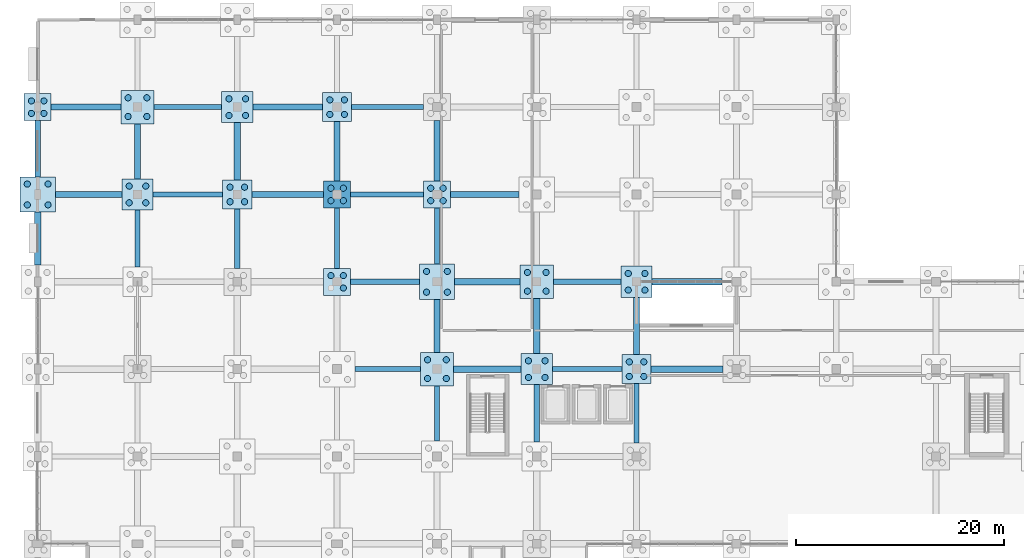
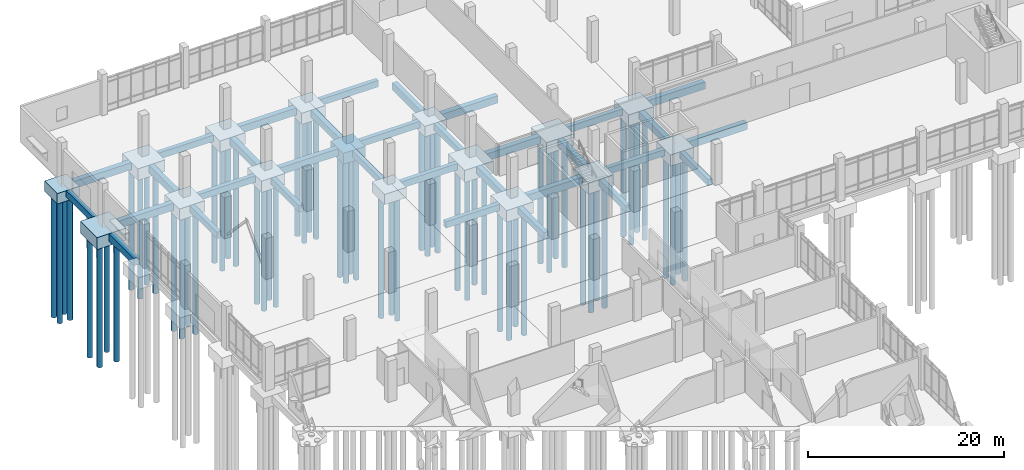
# One storey, part 8 of 136: 63 piles, 49 footings.
"""IFC4 building model written with IfcOpenShell, lengths in metres."""

from ifc_helpers import new_model, si_unit, direction, frame, origin, origin_2d, place, context, subcontext, project, spatial, rectangle, circle, extrude, material, material_profile, profile_set, type_object, element, save


model = new_model("IFC4")

# Units and contexts
model_context = context("Model", 3, precision=1e-05, world=origin(), true_north=direction((0.0, 1.0)))
body_context = subcontext(model_context, "Body", "Model", "MODEL_VIEW")
ifc_project = project(units=[si_unit("LENGTHUNIT", "METRE"), si_unit("AREAUNIT", "SQUARE_METRE"), si_unit("VOLUMEUNIT", "CUBIC_METRE"), si_unit("PLANEANGLEUNIT", "RADIAN"), si_unit("MASSUNIT", "GRAM", prefix="KILO")], contexts=[model_context])

# Site, building, storey
site_placement = place(None, origin())
site = spatial("IfcSite", under=ifc_project, at=site_placement, CompositionType="ELEMENT")
building_placement = place(site_placement, origin())
building = spatial("IfcBuilding", under=site, at=building_placement, Name="Oolite Switchyard Hospital", CompositionType="ELEMENT")
storey_placement = place(building_placement, origin())
storey = spatial("IfcBuildingStorey", under=building, at=storey_placement, Name="L00", CompositionType="ELEMENT", Elevation=0.0)

# Footings
ifc_material = material(Name="Concrete C40/50", Category="concrete")
footing_type_1 = type_object("IfcFootingType", Name="FTG-GB500X800", PredefinedType="FOOTING_BEAM", material=ifc_material)
footing_1_placement = place(storey_placement, frame((33.64990234375, 100.800048828125, -1.14990234375), z_axis=(0.0, 0.0, 1.0), x_axis=(1.0, 0.0, 0.0)))
element("IfcFooting", 1, at=footing_1_placement, inside=storey, type_object=footing_type_1, Name="L00 Grade Beam 178", PredefinedType="FOOTING_BEAM", context=body_context, shape_type="SweptSolid", body=[
    extrude(rectangle(XDim=6.300048828125, YDim=0.5, at=origin_2d()), origin(), (0.0, 0.0, 1.0), 0.800048828125),
])
footing_2_placement = place(storey_placement, frame((52.85009765625, 100.800048828125, -1.14990234375), z_axis=(0.0, 0.0, 1.0), x_axis=(1.0, 0.0, 0.0)))
element("IfcFooting", 2, at=footing_2_placement, inside=storey, type_object=footing_type_1, Name="L00 Grade Beam 180", PredefinedType="FOOTING_BEAM", context=body_context, shape_type="SweptSolid", body=[
    extrude(rectangle(XDim=6.699951171875, YDim=0.5, at=origin_2d()), origin(), (0.0, 0.0, 1.0), 0.800048828125),
])
footing_3_placement = place(storey_placement, frame((33.39990234375, 109.199951171875, -1.14990234375), z_axis=(0.0, 0.0, 1.0), x_axis=(1.0, 0.0, 0.0)))
element("IfcFooting", 3, at=footing_3_placement, inside=storey, type_object=footing_type_1, Name="L00 Grade Beam 200", PredefinedType="FOOTING_BEAM", context=body_context, shape_type="SweptSolid", body=[
    extrude(rectangle(XDim=6.60009765625, YDim=0.5, at=origin_2d()), origin(), (0.0, 0.0, 1.0), 0.800048828125),
])
footing_4_placement = place(storey_placement, frame((52.85009765625, 109.199951171875, -1.14990234375), z_axis=(0.0, 0.0, 1.0), x_axis=(1.0, 0.0, 0.0)))
element("IfcFooting", 4, at=footing_4_placement, inside=storey, type_object=footing_type_1, Name="L00 Grade Beam 202", PredefinedType="FOOTING_BEAM", context=body_context, shape_type="SweptSolid", body=[
    extrude(rectangle(XDim=6.5, YDim=0.5, at=origin_2d()), origin(), (0.0, 0.0, 1.0), 0.800048828125),
])
footing_5_placement = place(storey_placement, frame((14.449951171875, 117.60009765625, -1.14990234375), z_axis=(0.0, 0.0, 1.0), x_axis=(1.0, 0.0, 0.0)))
element("IfcFooting", 5, at=footing_5_placement, inside=storey, type_object=footing_type_1, Name="L00 Grade Beam 220", PredefinedType="FOOTING_BEAM", context=body_context, shape_type="SweptSolid", body=[
    extrude(rectangle(XDim=6.699951171875, YDim=0.5, at=origin_2d()), origin(), (0.0, 0.0, 1.0), 0.800048828125),
])
footing_6_placement = place(storey_placement, frame((33.60009765625, 117.60009765625, -1.14990234375), z_axis=(0.0, 0.0, 1.0), x_axis=(1.0, 0.0, 0.0)))
element("IfcFooting", 6, at=footing_6_placement, inside=storey, type_object=footing_type_1, Name="L00 Grade Beam 222", PredefinedType="FOOTING_BEAM", context=body_context, shape_type="SweptSolid", body=[
    extrude(rectangle(XDim=7.0, YDim=0.5, at=origin_2d()), origin(), (0.0, 0.0, 1.0), 0.800048828125),
])
footing_7_placement = place(storey_placement, frame((14.449951171875, 126.0, -1.14990234375), z_axis=(0.0, 0.0, 1.0), x_axis=(1.0, 0.0, 0.0)))
element("IfcFooting", 7, at=footing_7_placement, inside=storey, type_object=footing_type_1, Name="L00 Grade Beam 236", PredefinedType="FOOTING_BEAM", context=body_context, shape_type="SweptSolid", body=[
    extrude(rectangle(XDim=6.5, YDim=0.5, at=origin_2d()), origin(), (0.0, 0.0, 1.0), 0.800048828125),
])
footing_8_placement = place(storey_placement, frame((33.64990234375, 126.0, -1.14990234375), z_axis=(0.0, 0.0, 1.0), x_axis=(1.0, 0.0, 0.0)))
element("IfcFooting", 8, at=footing_8_placement, inside=storey, type_object=footing_type_1, Name="L00 Grade Beam 238", PredefinedType="FOOTING_BEAM", context=body_context, shape_type="SweptSolid", body=[
    extrude(rectangle(XDim=6.89990234375, YDim=0.5, at=origin_2d()), origin(), (0.0, 0.0, 1.0), 0.800048828125),
])
footing_9_placement = place(storey_placement, frame((0.0, 122.0, -1.14990234375), z_axis=(0.0, 0.0, 1.0), x_axis=(0.0, 1.0, 0.0)))
element("IfcFooting", 9, at=footing_9_placement, inside=storey, type_object=footing_type_1, Name="L00 Grade Beam 279", PredefinedType="FOOTING_BEAM", context=body_context, shape_type="SweptSolid", body=[
    extrude(rectangle(XDim=5.39990234375, YDim=0.5, at=origin_2d()), origin(), (0.0, 0.0, 1.0), 0.800048828125),
])
footing_10_placement = place(storey_placement, frame((9.60009765625, 113.35009765625, -1.14990234375), z_axis=(0.0, 0.0, 1.0), x_axis=(0.0, 1.0, 0.0)))
element("IfcFooting", 10, at=footing_10_placement, inside=storey, type_object=footing_type_1, Name="L00 Grade Beam 293", PredefinedType="FOOTING_BEAM", context=body_context, shape_type="SweptSolid", body=[
    extrude(rectangle(XDim=5.5, YDim=0.5, at=origin_2d()), origin(), (0.0, 0.0, 1.0), 0.800048828125),
])
footing_11_placement = place(storey_placement, frame((19.199951171875, 113.35009765625, -1.14990234375), z_axis=(0.0, 0.0, 1.0), x_axis=(0.0, 1.0, 0.0)))
element("IfcFooting", 11, at=footing_11_placement, inside=storey, type_object=footing_type_1, Name="L00 Grade Beam 309", PredefinedType="FOOTING_BEAM", context=body_context, shape_type="SweptSolid", body=[
    extrude(rectangle(XDim=5.699951171875, YDim=0.5, at=origin_2d()), origin(), (0.0, 0.0, 1.0), 0.800048828125),
])
footing_12_placement = place(storey_placement, frame((28.800048828125, 113.39990234375, -1.14990234375), z_axis=(0.0, 0.0, 1.0), x_axis=(0.0, 1.0, 0.0)))
element("IfcFooting", 12, at=footing_12_placement, inside=storey, type_object=footing_type_1, Name="L00 Grade Beam 325", PredefinedType="FOOTING_BEAM", context=body_context, shape_type="SweptSolid", body=[
    extrude(rectangle(XDim=5.800048828125, YDim=0.5, at=origin_2d()), origin(), (0.0, 0.0, 1.0), 0.800048828125),
])
footing_13_placement = place(storey_placement, frame((38.39990234375, 96.550048828125, -1.14990234375), z_axis=(0.0, 0.0, 1.0), x_axis=(0.0, 1.0, 0.0)))
element("IfcFooting", 13, at=footing_13_placement, inside=storey, type_object=footing_type_1, Name="L00 Grade Beam 339", PredefinedType="FOOTING_BEAM", context=body_context, shape_type="SweptSolid", body=[
    extrude(rectangle(XDim=5.300048828125, YDim=0.5, at=origin_2d()), origin(), (0.0, 0.0, 1.0), 0.800048828125),
])
footing_14_placement = place(storey_placement, frame((38.39990234375, 113.60009765625, -1.14990234375), z_axis=(0.0, 0.0, 1.0), x_axis=(0.0, 1.0, 0.0)))
element("IfcFooting", 14, at=footing_14_placement, inside=storey, type_object=footing_type_1, Name="L00 Grade Beam 341", PredefinedType="FOOTING_BEAM", context=body_context, shape_type="SweptSolid", body=[
    extrude(rectangle(XDim=5.39990234375, YDim=0.5, at=origin_2d()), origin(), (0.0, 0.0, 1.0), 0.800048828125),
])
footing_15_placement = place(storey_placement, frame((48.0, 96.550048828125, -1.14990234375), z_axis=(0.0, 0.0, 1.0), x_axis=(0.0, 1.0, 0.0)))
element("IfcFooting", 15, at=footing_15_placement, inside=storey, type_object=footing_type_1, Name="L00 Grade Beam 355", PredefinedType="FOOTING_BEAM", context=body_context, shape_type="SweptSolid", body=[
    extrude(rectangle(XDim=5.5, YDim=0.5, at=origin_2d()), origin(), (0.0, 0.0, 1.0), 0.800048828125),
])
footing_16_placement = place(storey_placement, frame((57.60009765625, 96.550048828125, -1.14990234375), z_axis=(0.0, 0.0, 1.0), x_axis=(0.0, 1.0, 0.0)))
element("IfcFooting", 16, at=footing_16_placement, inside=storey, type_object=footing_type_1, Name="L00 Grade Beam 371", PredefinedType="FOOTING_BEAM", context=body_context, shape_type="SweptSolid", body=[
    extrude(rectangle(XDim=5.699951171875, YDim=0.5, at=origin_2d()), origin(), (0.0, 0.0, 1.0), 0.800048828125),
])
footing_type_2 = type_object("IfcFootingType", Name="FTG-GB600X900", PredefinedType="FOOTING_BEAM", material=ifc_material)
footing_17_placement = place(storey_placement, frame((43.25, 100.800048828125, -1.25), z_axis=(0.0, 0.0, 1.0), x_axis=(1.0, 0.0, 0.0)))
element("IfcFooting", 17, at=footing_17_placement, inside=storey, type_object=footing_type_2, Name="L00 Grade Beam 179", PredefinedType="FOOTING_BEAM", context=body_context, shape_type="SweptSolid", body=[
    extrude(rectangle(XDim=6.5, YDim=0.60009765625, at=origin_2d()), origin(), (0.0, 0.0, 1.0), 0.89990234375),
])
footing_18_placement = place(storey_placement, frame((62.449951171875, 100.800048828125, -1.25), z_axis=(0.0, 0.0, 1.0), x_axis=(1.0, 0.0, 0.0)))
element("IfcFooting", 18, at=footing_18_placement, inside=storey, type_object=footing_type_2, Name="L00 Grade Beam 181", PredefinedType="FOOTING_BEAM", context=body_context, shape_type="SweptSolid", body=[
    extrude(rectangle(XDim=6.89990234375, YDim=0.60009765625, at=origin_2d()), origin(), (0.0, 0.0, 1.0), 0.89990234375),
])
footing_19_placement = place(storey_placement, frame((43.25, 109.199951171875, -1.25), z_axis=(0.0, 0.0, 1.0), x_axis=(1.0, 0.0, 0.0)))
element("IfcFooting", 19, at=footing_19_placement, inside=storey, type_object=footing_type_2, Name="L00 Grade Beam 201", PredefinedType="FOOTING_BEAM", context=body_context, shape_type="SweptSolid", body=[
    extrude(rectangle(XDim=6.300048828125, YDim=0.60009765625, at=origin_2d()), origin(), (0.0, 0.0, 1.0), 0.89990234375),
])
footing_20_placement = place(storey_placement, frame((62.449951171875, 109.199951171875, -1.25), z_axis=(0.0, 0.0, 1.0), x_axis=(1.0, 0.0, 0.0)))
element("IfcFooting", 20, at=footing_20_placement, inside=storey, type_object=footing_type_2, Name="L00 Grade Beam 203", PredefinedType="FOOTING_BEAM", context=body_context, shape_type="SweptSolid", body=[
    extrude(rectangle(XDim=6.699951171875, YDim=0.60009765625, at=origin_2d()), origin(), (0.0, 0.0, 1.0), 0.89990234375),
])
footing_21_placement = place(storey_placement, frame((4.89990234375, 117.60009765625, -1.25), z_axis=(0.0, 0.0, 1.0), x_axis=(1.0, 0.0, 0.0)))
element("IfcFooting", 21, at=footing_21_placement, inside=storey, type_object=footing_type_2, Name="L00 Grade Beam 219", PredefinedType="FOOTING_BEAM", context=body_context, shape_type="SweptSolid", body=[
    extrude(rectangle(XDim=6.39990234375, YDim=0.60009765625, at=origin_2d()), origin(), (0.0, 0.0, 1.0), 0.89990234375),
])
footing_22_placement = place(storey_placement, frame((24.050048828125, 117.60009765625, -1.25), z_axis=(0.0, 0.0, 1.0), x_axis=(1.0, 0.0, 0.0)))
element("IfcFooting", 22, at=footing_22_placement, inside=storey, type_object=footing_type_2, Name="L00 Grade Beam 221", PredefinedType="FOOTING_BEAM", context=body_context, shape_type="SweptSolid", body=[
    extrude(rectangle(XDim=6.89990234375, YDim=0.60009765625, at=origin_2d()), origin(), (0.0, 0.0, 1.0), 0.89990234375),
])
footing_23_placement = place(storey_placement, frame((43.0, 117.60009765625, -1.25), z_axis=(0.0, 0.0, 1.0), x_axis=(1.0, 0.0, 0.0)))
element("IfcFooting", 23, at=footing_23_placement, inside=storey, type_object=footing_type_2, Name="L00 Grade Beam 223", PredefinedType="FOOTING_BEAM", context=body_context, shape_type="SweptSolid", body=[
    extrude(rectangle(XDim=6.60009765625, YDim=0.60009765625, at=origin_2d()), origin(), (0.0, 0.0, 1.0), 0.89990234375),
])
for number, where, z_axis, x_axis, name in (
    (24, (4.64990234375, 126.0, -1.25), (0.0, 0.0, 1.0), (1.0, 0.0, 0.0), "L00 Grade Beam 235"),
    (25, (24.050048828125, 126.0, -1.25), (0.0, 0.0, 1.0), (1.0, 0.0, 0.0), "L00 Grade Beam 237"),
):
    element("IfcFooting", number, at=place(storey_placement, frame(where, z_axis=z_axis, x_axis=x_axis)), inside=storey, type_object=footing_type_2, Name=name, PredefinedType="FOOTING_BEAM", context=body_context, shape_type="SweptSolid", body=[
        extrude(rectangle(XDim=6.699951171875, YDim=0.60009765625, at=origin_2d()), origin(), (0.0, 0.0, 1.0), 0.89990234375),
    ])
footing_24_placement = place(storey_placement, frame((0.0, 113.35009765625, -1.25), z_axis=(0.0, 0.0, 1.0), x_axis=(0.0, 1.0, 0.0)))
element("IfcFooting", 26, at=footing_24_placement, inside=storey, type_object=footing_type_2, Name="L00 Grade Beam 278", PredefinedType="FOOTING_BEAM", context=body_context, shape_type="SweptSolid", body=[
    extrude(rectangle(XDim=5.10009765625, YDim=0.60009765625, at=origin_2d()), origin(), (0.0, 0.0, 1.0), 0.89990234375),
])
footing_25_placement = place(storey_placement, frame((9.60009765625, 121.75, -1.25), z_axis=(0.0, 0.0, 1.0), x_axis=(0.0, 1.0, 0.0)))
element("IfcFooting", 27, at=footing_25_placement, inside=storey, type_object=footing_type_2, Name="L00 Grade Beam 294", PredefinedType="FOOTING_BEAM", context=body_context, shape_type="SweptSolid", body=[
    extrude(rectangle(XDim=5.300048828125, YDim=0.60009765625, at=origin_2d()), origin(), (0.0, 0.0, 1.0), 0.89990234375),
])
footing_26_placement = place(storey_placement, frame((19.199951171875, 121.75, -1.25), z_axis=(0.0, 0.0, 1.0), x_axis=(0.0, 1.0, 0.0)))
element("IfcFooting", 28, at=footing_26_placement, inside=storey, type_object=footing_type_2, Name="L00 Grade Beam 310", PredefinedType="FOOTING_BEAM", context=body_context, shape_type="SweptSolid", body=[
    extrude(rectangle(XDim=5.5, YDim=0.60009765625, at=origin_2d()), origin(), (0.0, 0.0, 1.0), 0.89990234375),
])
footing_27_placement = place(storey_placement, frame((28.800048828125, 121.75, -1.25), z_axis=(0.0, 0.0, 1.0), x_axis=(0.0, 1.0, 0.0)))
element("IfcFooting", 29, at=footing_27_placement, inside=storey, type_object=footing_type_2, Name="L00 Grade Beam 326", PredefinedType="FOOTING_BEAM", context=body_context, shape_type="SweptSolid", body=[
    extrude(rectangle(XDim=5.699951171875, YDim=0.60009765625, at=origin_2d()), origin(), (0.0, 0.0, 1.0), 0.89990234375),
])
footing_28_placement = place(storey_placement, frame((38.39990234375, 104.949951171875, -1.25), z_axis=(0.0, 0.0, 1.0), x_axis=(0.0, 1.0, 0.0)))
element("IfcFooting", 30, at=footing_28_placement, inside=storey, type_object=footing_type_2, Name="L00 Grade Beam 340", PredefinedType="FOOTING_BEAM", context=body_context, shape_type="SweptSolid", body=[
    extrude(rectangle(XDim=5.10009765625, YDim=0.60009765625, at=origin_2d()), origin(), (0.0, 0.0, 1.0), 0.89990234375),
])
footing_29_placement = place(storey_placement, frame((38.39990234375, 121.800048828125, -1.25), z_axis=(0.0, 0.0, 1.0), x_axis=(0.0, 1.0, 0.0)))
element("IfcFooting", 31, at=footing_29_placement, inside=storey, type_object=footing_type_2, Name="L00 Grade Beam 342", PredefinedType="FOOTING_BEAM", context=body_context, shape_type="SweptSolid", body=[
    extrude(rectangle(XDim=5.800048828125, YDim=0.60009765625, at=origin_2d()), origin(), (0.0, 0.0, 1.0), 0.89990234375),
])
footing_30_placement = place(storey_placement, frame((48.0, 104.949951171875, -1.25), z_axis=(0.0, 0.0, 1.0), x_axis=(0.0, 1.0, 0.0)))
element("IfcFooting", 32, at=footing_30_placement, inside=storey, type_object=footing_type_2, Name="L00 Grade Beam 356", PredefinedType="FOOTING_BEAM", context=body_context, shape_type="SweptSolid", body=[
    extrude(rectangle(XDim=5.300048828125, YDim=0.60009765625, at=origin_2d()), origin(), (0.0, 0.0, 1.0), 0.89990234375),
])
footing_31_placement = place(storey_placement, frame((57.60009765625, 104.949951171875, -1.25), z_axis=(0.0, 0.0, 1.0), x_axis=(0.0, 1.0, 0.0)))
element("IfcFooting", 33, at=footing_31_placement, inside=storey, type_object=footing_type_2, Name="L00 Grade Beam 372", PredefinedType="FOOTING_BEAM", context=body_context, shape_type="SweptSolid", body=[
    extrude(rectangle(XDim=5.5, YDim=0.60009765625, at=origin_2d()), origin(), (0.0, 0.0, 1.0), 0.89990234375),
])
footing_type_3 = type_object("IfcFootingType", Name="FTG-PC24", PredefinedType="PILE_CAP", material=ifc_material)
for number, where, z_axis, x_axis, name in (
    (34, (0.0, 126.0, -1.64990234375), (0.0, 0.0, 1.0), (1.0, 0.0, 0.0), "L00 Multi-Pile Cap 19"),
    (35, (28.800048828125, 109.199951171875, -1.64990234375), (0.0, 0.0, 1.0), (1.0, 0.0, 0.0), "L00 Multi-Pile Cap 67"),
    (36, (38.39990234375, 117.60009765625, -1.64990234375), (0.0, 0.0, 1.0), (1.0, 0.0, 0.0), "L00 Multi-Pile Cap 85"),
):
    element("IfcFooting", number, at=place(storey_placement, frame(where, z_axis=z_axis, x_axis=x_axis)), inside=storey, type_object=footing_type_3, Name=name, PredefinedType="PILE_CAP", context=body_context, shape_type="SweptSolid", body=[
        extrude(rectangle(XDim=2.60009765625, YDim=2.60009765625, at=origin_2d()), origin(), (0.0, 0.0, 1.0), 1.300048828125),
    ])
footing_type_4 = type_object("IfcFootingType", Name="FTG-PC26", PredefinedType="PILE_CAP", material=ifc_material)
footing_32_placement = place(storey_placement, frame((28.800048828125, 117.60009765625, -1.699951171875), z_axis=(0.0, 0.0, 1.0), x_axis=(1.0, 0.0, 0.0)))
element("IfcFooting", 37, at=footing_32_placement, inside=storey, type_object=footing_type_4, Name="L00 Multi-Pile Cap 68", PredefinedType="PILE_CAP", context=body_context, shape_type="SweptSolid", body=[
    extrude(rectangle(XDim=2.60009765625, YDim=2.60009765625, at=origin_2d()), origin(), (0.0, 0.0, 1.0), 1.35009765625),
])
footing_type_5 = type_object("IfcFootingType", Name="FTG-PC28", PredefinedType="PILE_CAP", material=ifc_material)
for number, where, z_axis, x_axis, name in (
    (38, (19.199951171875, 117.60009765625, -1.75), (0.0, 0.0, 1.0), (1.0, 0.0, 0.0), "L00 Multi-Pile Cap 51"),
    (39, (28.800048828125, 126.0, -1.75), (0.0, 0.0, 1.0), (1.0, 0.0, 0.0), "L00 Multi-Pile Cap 69"),
    (40, (57.60009765625, 100.800048828125, -1.75), (0.0, 0.0, 1.0), (1.0, 0.0, 0.0), "L00 Multi-Pile Cap 117"),
):
    element("IfcFooting", number, at=place(storey_placement, frame(where, z_axis=z_axis, x_axis=x_axis)), inside=storey, type_object=footing_type_5, Name=name, PredefinedType="PILE_CAP", context=body_context, shape_type="SweptSolid", body=[
        extrude(rectangle(XDim=2.800048828125, YDim=2.800048828125, at=origin_2d()), origin(), (0.0, 0.0, 1.0), 1.39990234375),
    ])
footing_type_6 = type_object("IfcFootingType", Name="FTG-PC30", PredefinedType="PILE_CAP", material=ifc_material)
for number, where, z_axis, x_axis, name in (
    (41, (9.60009765625, 117.60009765625, -1.77001953125), (0.0, 0.0, 1.0), (1.0, 0.0, 0.0), "L00 Multi-Pile Cap 34"),
    (42, (19.199951171875, 126.0, -1.77001953125), (0.0, 0.0, 1.0), (1.0, 0.0, 0.0), "L00 Multi-Pile Cap 52"),
    (43, (48.0, 100.800048828125, -1.77001953125), (0.0, 0.0, 1.0), (1.0, 0.0, 0.0), "L00 Multi-Pile Cap 100"),
    (44, (57.60009765625, 109.199951171875, -1.77001953125), (0.0, 0.0, 1.0), (1.0, 0.0, 0.0), "L00 Multi-Pile Cap 118"),
):
    element("IfcFooting", number, at=place(storey_placement, frame(where, z_axis=z_axis, x_axis=x_axis)), inside=storey, type_object=footing_type_6, Name=name, PredefinedType="PILE_CAP", context=body_context, shape_type="SweptSolid", body=[
        extrude(rectangle(XDim=3.0, YDim=3.0, at=origin_2d()), origin(), (0.0, 0.0, 1.0), 1.419921875),
    ])
footing_type_7 = type_object("IfcFootingType", Name="FTG-PC32", PredefinedType="PILE_CAP", material=ifc_material)
for number, where, z_axis, x_axis, name in (
    (45, (9.60009765625, 126.0, -1.7998046875), (0.0, 0.0, 1.0), (1.0, 0.0, 0.0), "L00 Multi-Pile Cap 35"),
    (46, (38.39990234375, 100.800048828125, -1.7998046875), (0.0, 0.0, 1.0), (1.0, 0.0, 0.0), "L00 Multi-Pile Cap 83"),
    (47, (48.0, 109.199951171875, -1.7998046875), (0.0, 0.0, 1.0), (1.0, 0.0, 0.0), "L00 Multi-Pile Cap 101"),
):
    element("IfcFooting", number, at=place(storey_placement, frame(where, z_axis=z_axis, x_axis=x_axis)), inside=storey, type_object=footing_type_7, Name=name, PredefinedType="PILE_CAP", context=body_context, shape_type="SweptSolid", body=[
        extrude(rectangle(XDim=3.199951171875, YDim=3.199951171875, at=origin_2d()), origin(), (0.0, 0.0, 1.0), 1.449951171875),
    ])
footing_type_8 = type_object("IfcFootingType", Name="FTG-PC34", PredefinedType="PILE_CAP", material=ifc_material)
for number, where, z_axis, x_axis, name in (
    (48, (0.0, 117.60009765625, -1.85009765625), (0.0, 0.0, 1.0), (1.0, 0.0, 0.0), "L00 Multi-Pile Cap 18"),
    (49, (38.39990234375, 109.199951171875, -1.85009765625), (0.0, 0.0, 1.0), (1.0, 0.0, 0.0), "L00 Multi-Pile Cap 84"),
):
    element("IfcFooting", number, at=place(storey_placement, frame(where, z_axis=z_axis, x_axis=x_axis)), inside=storey, type_object=footing_type_8, Name=name, PredefinedType="PILE_CAP", context=body_context, shape_type="SweptSolid", body=[
        extrude(rectangle(XDim=3.39990234375, YDim=3.39990234375, at=origin_2d()), origin(), (0.0, 0.0, 1.0), 1.5),
    ])

# Piles
ifc_material_profile = material_profile(ifc_material, circle(Radius=0.300048828125, at=origin_2d()), Name="PILE600")
ifc_profile_set = profile_set([ifc_material_profile], Name="Concrete C40/50")
pile_type = type_object("IfcPileType", Name="PILE-ACIP600", PredefinedType="BORED", material=ifc_profile_set)
for number, where, z_axis, x_axis, name in (
    (50, (-1.0, 116.60009765625, -1.699951171875), (0.0, 0.0, -1.0), (1.0, 0.0, 0.0), "Augercast Pile 69"),
    (51, (1.0, 116.60009765625, -1.699951171875), (0.0, 0.0, -1.0), (1.0, 0.0, 0.0), "Augercast Pile 70"),
    (52, (-1.0, 118.60009765625, -1.699951171875), (0.0, 0.0, -1.0), (1.0, 0.0, 0.0), "Augercast Pile 71"),
    (53, (1.0, 118.60009765625, -1.699951171875), (0.0, 0.0, -1.0), (1.0, 0.0, 0.0), "Augercast Pile 72"),
):
    element("IfcPile", number, at=place(storey_placement, frame(where, z_axis=z_axis, x_axis=x_axis)), inside=storey, type_object=pile_type, Name=name, PredefinedType="BORED", context=body_context, shape_type="SweptSolid", body=[
        extrude(circle(Radius=0.300048828125, at=origin_2d()), origin(), (0.0, 0.0, 1.0), 15.300048828125),
    ])
for number, where, z_axis, x_axis, name in (
    (54, (-0.60009765625, 125.39990234375, -1.5), (0.0, 0.0, -1.0), (1.0, 0.0, 0.0), "Augercast Pile 73"),
    (55, (0.60009765625, 125.39990234375, -1.5), (0.0, 0.0, -1.0), (1.0, 0.0, 0.0), "Augercast Pile 74"),
    (56, (-0.60009765625, 126.60009765625, -1.5), (0.0, 0.0, -1.0), (1.0, 0.0, 0.0), "Augercast Pile 75"),
    (57, (0.60009765625, 126.60009765625, -1.5), (0.0, 0.0, -1.0), (1.0, 0.0, 0.0), "Augercast Pile 76"),
):
    element("IfcPile", number, at=place(storey_placement, frame(where, z_axis=z_axis, x_axis=x_axis)), inside=storey, type_object=pile_type, Name=name, PredefinedType="BORED", context=body_context, shape_type="SweptSolid", body=[
        extrude(circle(Radius=0.300048828125, at=origin_2d()), origin(), (0.0, 0.0, 1.0), 15.5),
    ])
for number, where, z_axis, x_axis, name in (
    (58, (8.800048828125, 116.800048828125, -1.6201171875), (0.0, 0.0, -1.0), (1.0, 0.0, 0.0), "Augercast Pile 133"),
    (59, (10.39990234375, 116.800048828125, -1.6201171875), (0.0, 0.0, -1.0), (1.0, 0.0, 0.0), "Augercast Pile 134"),
    (60, (8.800048828125, 118.39990234375, -1.6201171875), (0.0, 0.0, -1.0), (1.0, 0.0, 0.0), "Augercast Pile 135"),
    (61, (10.39990234375, 118.39990234375, -1.6201171875), (0.0, 0.0, -1.0), (1.0, 0.0, 0.0), "Augercast Pile 136"),
):
    element("IfcPile", number, at=place(storey_placement, frame(where, z_axis=z_axis, x_axis=x_axis)), inside=storey, type_object=pile_type, Name=name, PredefinedType="BORED", context=body_context, shape_type="SweptSolid", body=[
        extrude(circle(Radius=0.300048828125, at=origin_2d()), origin(), (0.0, 0.0, 1.0), 15.3798828125),
    ])
for number, where, z_axis, x_axis, name in (
    (62, (8.699951171875, 125.10009765625, -1.64990234375), (0.0, 0.0, -1.0), (1.0, 0.0, 0.0), "Augercast Pile 137"),
    (63, (10.5, 125.10009765625, -1.64990234375), (0.0, 0.0, -1.0), (1.0, 0.0, 0.0), "Augercast Pile 138"),
    (64, (8.699951171875, 126.89990234375, -1.64990234375), (0.0, 0.0, -1.0), (1.0, 0.0, 0.0), "Augercast Pile 139"),
    (65, (10.5, 126.89990234375, -1.64990234375), (0.0, 0.0, -1.0), (1.0, 0.0, 0.0), "Augercast Pile 140"),
):
    element("IfcPile", number, at=place(storey_placement, frame(where, z_axis=z_axis, x_axis=x_axis)), inside=storey, type_object=pile_type, Name=name, PredefinedType="BORED", context=body_context, shape_type="SweptSolid", body=[
        extrude(circle(Radius=0.300048828125, at=origin_2d()), origin(), (0.0, 0.0, 1.0), 15.35009765625),
    ])
for number, where, z_axis, x_axis, name in (
    (66, (18.5, 116.89990234375, -1.60009765625), (0.0, 0.0, -1.0), (1.0, 0.0, 0.0), "Augercast Pile 201"),
    (67, (19.89990234375, 116.89990234375, -1.60009765625), (0.0, 0.0, -1.0), (1.0, 0.0, 0.0), "Augercast Pile 202"),
    (68, (18.5, 118.300048828125, -1.60009765625), (0.0, 0.0, -1.0), (1.0, 0.0, 0.0), "Augercast Pile 203"),
    (69, (19.89990234375, 118.300048828125, -1.60009765625), (0.0, 0.0, -1.0), (1.0, 0.0, 0.0), "Augercast Pile 204"),
):
    element("IfcPile", number, at=place(storey_placement, frame(where, z_axis=z_axis, x_axis=x_axis)), inside=storey, type_object=pile_type, Name=name, PredefinedType="BORED", context=body_context, shape_type="SweptSolid", body=[
        extrude(circle(Radius=0.300048828125, at=origin_2d()), origin(), (0.0, 0.0, 1.0), 15.39990234375),
    ])
for number, where, z_axis, x_axis, name in (
    (70, (18.39990234375, 125.199951171875, -1.6201171875), (0.0, 0.0, -1.0), (1.0, 0.0, 0.0), "Augercast Pile 205"),
    (71, (20.0, 125.199951171875, -1.6201171875), (0.0, 0.0, -1.0), (1.0, 0.0, 0.0), "Augercast Pile 206"),
    (72, (18.39990234375, 126.800048828125, -1.6201171875), (0.0, 0.0, -1.0), (1.0, 0.0, 0.0), "Augercast Pile 207"),
    (73, (20.0, 126.800048828125, -1.6201171875), (0.0, 0.0, -1.0), (1.0, 0.0, 0.0), "Augercast Pile 208"),
):
    element("IfcPile", number, at=place(storey_placement, frame(where, z_axis=z_axis, x_axis=x_axis)), inside=storey, type_object=pile_type, Name=name, PredefinedType="BORED", context=body_context, shape_type="SweptSolid", body=[
        extrude(circle(Radius=0.300048828125, at=origin_2d()), origin(), (0.0, 0.0, 1.0), 15.3798828125),
    ])
for number, where, z_axis, x_axis, name in (
    (74, (29.39990234375, 108.60009765625, -1.5), (0.0, 0.0, -1.0), (1.0, 0.0, 0.0), "Augercast Pile 266"),
    (75, (28.199951171875, 109.800048828125, -1.5), (0.0, 0.0, -1.0), (1.0, 0.0, 0.0), "Augercast Pile 267"),
    (76, (29.39990234375, 109.800048828125, -1.5), (0.0, 0.0, -1.0), (1.0, 0.0, 0.0), "Augercast Pile 268"),
):
    element("IfcPile", number, at=place(storey_placement, frame(where, z_axis=z_axis, x_axis=x_axis)), inside=storey, type_object=pile_type, Name=name, PredefinedType="BORED", context=body_context, shape_type="SweptSolid", body=[
        extrude(circle(Radius=0.300048828125, at=origin_2d()), origin(), (0.0, 0.0, 1.0), 15.5),
    ])
for number, where, z_axis, x_axis, name in (
    (77, (28.199951171875, 117.0, -1.550048828125), (0.0, 0.0, -1.0), (1.0, 0.0, 0.0), "Augercast Pile 269"),
    (78, (29.39990234375, 117.0, -1.550048828125), (0.0, 0.0, -1.0), (1.0, 0.0, 0.0), "Augercast Pile 270"),
    (79, (28.199951171875, 118.199951171875, -1.550048828125), (0.0, 0.0, -1.0), (1.0, 0.0, 0.0), "Augercast Pile 271"),
    (80, (29.39990234375, 118.199951171875, -1.550048828125), (0.0, 0.0, -1.0), (1.0, 0.0, 0.0), "Augercast Pile 272"),
):
    element("IfcPile", number, at=place(storey_placement, frame(where, z_axis=z_axis, x_axis=x_axis)), inside=storey, type_object=pile_type, Name=name, PredefinedType="BORED", context=body_context, shape_type="SweptSolid", body=[
        extrude(circle(Radius=0.300048828125, at=origin_2d()), origin(), (0.0, 0.0, 1.0), 15.449951171875),
    ])
for number, where, z_axis, x_axis, name in (
    (81, (28.10009765625, 125.300048828125, -1.60009765625), (0.0, 0.0, -1.0), (1.0, 0.0, 0.0), "Augercast Pile 273"),
    (82, (29.5, 125.300048828125, -1.60009765625), (0.0, 0.0, -1.0), (1.0, 0.0, 0.0), "Augercast Pile 274"),
    (83, (28.10009765625, 126.699951171875, -1.60009765625), (0.0, 0.0, -1.0), (1.0, 0.0, 0.0), "Augercast Pile 275"),
    (84, (29.5, 126.699951171875, -1.60009765625), (0.0, 0.0, -1.0), (1.0, 0.0, 0.0), "Augercast Pile 276"),
):
    element("IfcPile", number, at=place(storey_placement, frame(where, z_axis=z_axis, x_axis=x_axis)), inside=storey, type_object=pile_type, Name=name, PredefinedType="BORED", context=body_context, shape_type="SweptSolid", body=[
        extrude(circle(Radius=0.300048828125, at=origin_2d()), origin(), (0.0, 0.0, 1.0), 15.39990234375),
    ])
for number, where, z_axis, x_axis, name in (
    (85, (37.5, 99.89990234375, -1.64990234375), (0.0, 0.0, -1.0), (1.0, 0.0, 0.0), "Augercast Pile 329"),
    (86, (39.300048828125, 99.89990234375, -1.64990234375), (0.0, 0.0, -1.0), (1.0, 0.0, 0.0), "Augercast Pile 330"),
    (87, (37.5, 101.699951171875, -1.64990234375), (0.0, 0.0, -1.0), (1.0, 0.0, 0.0), "Augercast Pile 331"),
    (88, (39.300048828125, 101.699951171875, -1.64990234375), (0.0, 0.0, -1.0), (1.0, 0.0, 0.0), "Augercast Pile 332"),
):
    element("IfcPile", number, at=place(storey_placement, frame(where, z_axis=z_axis, x_axis=x_axis)), inside=storey, type_object=pile_type, Name=name, PredefinedType="BORED", context=body_context, shape_type="SweptSolid", body=[
        extrude(circle(Radius=0.300048828125, at=origin_2d()), origin(), (0.0, 0.0, 1.0), 15.35009765625),
    ])
for number, where, z_axis, x_axis, name in (
    (89, (37.39990234375, 108.199951171875, -1.699951171875), (0.0, 0.0, -1.0), (1.0, 0.0, 0.0), "Augercast Pile 333"),
    (90, (39.39990234375, 108.199951171875, -1.699951171875), (0.0, 0.0, -1.0), (1.0, 0.0, 0.0), "Augercast Pile 334"),
    (91, (37.39990234375, 110.199951171875, -1.699951171875), (0.0, 0.0, -1.0), (1.0, 0.0, 0.0), "Augercast Pile 335"),
    (92, (39.39990234375, 110.199951171875, -1.699951171875), (0.0, 0.0, -1.0), (1.0, 0.0, 0.0), "Augercast Pile 336"),
):
    element("IfcPile", number, at=place(storey_placement, frame(where, z_axis=z_axis, x_axis=x_axis)), inside=storey, type_object=pile_type, Name=name, PredefinedType="BORED", context=body_context, shape_type="SweptSolid", body=[
        extrude(circle(Radius=0.300048828125, at=origin_2d()), origin(), (0.0, 0.0, 1.0), 15.300048828125),
    ])
for number, where, z_axis, x_axis, name in (
    (93, (37.800048828125, 117.0, -1.5), (0.0, 0.0, -1.0), (1.0, 0.0, 0.0), "Augercast Pile 337"),
    (94, (39.0, 117.0, -1.5), (0.0, 0.0, -1.0), (1.0, 0.0, 0.0), "Augercast Pile 338"),
    (95, (37.800048828125, 118.199951171875, -1.5), (0.0, 0.0, -1.0), (1.0, 0.0, 0.0), "Augercast Pile 339"),
    (96, (39.0, 118.199951171875, -1.5), (0.0, 0.0, -1.0), (1.0, 0.0, 0.0), "Augercast Pile 340"),
):
    element("IfcPile", number, at=place(storey_placement, frame(where, z_axis=z_axis, x_axis=x_axis)), inside=storey, type_object=pile_type, Name=name, PredefinedType="BORED", context=body_context, shape_type="SweptSolid", body=[
        extrude(circle(Radius=0.300048828125, at=origin_2d()), origin(), (0.0, 0.0, 1.0), 15.5),
    ])
for number, where, z_axis, x_axis, name in (
    (97, (47.199951171875, 100.0, -1.6201171875), (0.0, 0.0, -1.0), (1.0, 0.0, 0.0), "Augercast Pile 397"),
    (98, (48.800048828125, 100.0, -1.6201171875), (0.0, 0.0, -1.0), (1.0, 0.0, 0.0), "Augercast Pile 398"),
    (99, (47.199951171875, 101.60009765625, -1.6201171875), (0.0, 0.0, -1.0), (1.0, 0.0, 0.0), "Augercast Pile 399"),
    (100, (48.800048828125, 101.60009765625, -1.6201171875), (0.0, 0.0, -1.0), (1.0, 0.0, 0.0), "Augercast Pile 400"),
):
    element("IfcPile", number, at=place(storey_placement, frame(where, z_axis=z_axis, x_axis=x_axis)), inside=storey, type_object=pile_type, Name=name, PredefinedType="BORED", context=body_context, shape_type="SweptSolid", body=[
        extrude(circle(Radius=0.300048828125, at=origin_2d()), origin(), (0.0, 0.0, 1.0), 15.3798828125),
    ])
for number, where, z_axis, x_axis, name in (
    (101, (47.10009765625, 108.300048828125, -1.64990234375), (0.0, 0.0, -1.0), (1.0, 0.0, 0.0), "Augercast Pile 401"),
    (102, (48.89990234375, 108.300048828125, -1.64990234375), (0.0, 0.0, -1.0), (1.0, 0.0, 0.0), "Augercast Pile 402"),
    (103, (47.10009765625, 110.10009765625, -1.64990234375), (0.0, 0.0, -1.0), (1.0, 0.0, 0.0), "Augercast Pile 403"),
    (104, (48.89990234375, 110.10009765625, -1.64990234375), (0.0, 0.0, -1.0), (1.0, 0.0, 0.0), "Augercast Pile 404"),
):
    element("IfcPile", number, at=place(storey_placement, frame(where, z_axis=z_axis, x_axis=x_axis)), inside=storey, type_object=pile_type, Name=name, PredefinedType="BORED", context=body_context, shape_type="SweptSolid", body=[
        extrude(circle(Radius=0.300048828125, at=origin_2d()), origin(), (0.0, 0.0, 1.0), 15.35009765625),
    ])
for number, where, z_axis, x_axis, name in (
    (105, (56.89990234375, 100.10009765625, -1.60009765625), (0.0, 0.0, -1.0), (1.0, 0.0, 0.0), "Augercast Pile 465"),
    (106, (58.300048828125, 100.10009765625, -1.60009765625), (0.0, 0.0, -1.0), (1.0, 0.0, 0.0), "Augercast Pile 466"),
    (107, (56.89990234375, 101.5, -1.60009765625), (0.0, 0.0, -1.0), (1.0, 0.0, 0.0), "Augercast Pile 467"),
    (108, (58.300048828125, 101.5, -1.60009765625), (0.0, 0.0, -1.0), (1.0, 0.0, 0.0), "Augercast Pile 468"),
):
    element("IfcPile", number, at=place(storey_placement, frame(where, z_axis=z_axis, x_axis=x_axis)), inside=storey, type_object=pile_type, Name=name, PredefinedType="BORED", context=body_context, shape_type="SweptSolid", body=[
        extrude(circle(Radius=0.300048828125, at=origin_2d()), origin(), (0.0, 0.0, 1.0), 15.39990234375),
    ])
for number, where, z_axis, x_axis, name in (
    (109, (56.800048828125, 108.39990234375, -1.6201171875), (0.0, 0.0, -1.0), (1.0, 0.0, 0.0), "Augercast Pile 469"),
    (110, (58.39990234375, 108.39990234375, -1.6201171875), (0.0, 0.0, -1.0), (1.0, 0.0, 0.0), "Augercast Pile 470"),
    (111, (56.800048828125, 110.0, -1.6201171875), (0.0, 0.0, -1.0), (1.0, 0.0, 0.0), "Augercast Pile 471"),
    (112, (58.39990234375, 110.0, -1.6201171875), (0.0, 0.0, -1.0), (1.0, 0.0, 0.0), "Augercast Pile 472"),
):
    element("IfcPile", number, at=place(storey_placement, frame(where, z_axis=z_axis, x_axis=x_axis)), inside=storey, type_object=pile_type, Name=name, PredefinedType="BORED", context=body_context, shape_type="SweptSolid", body=[
        extrude(circle(Radius=0.300048828125, at=origin_2d()), origin(), (0.0, 0.0, 1.0), 15.3798828125),
    ])

save(model, "model.ifc")
